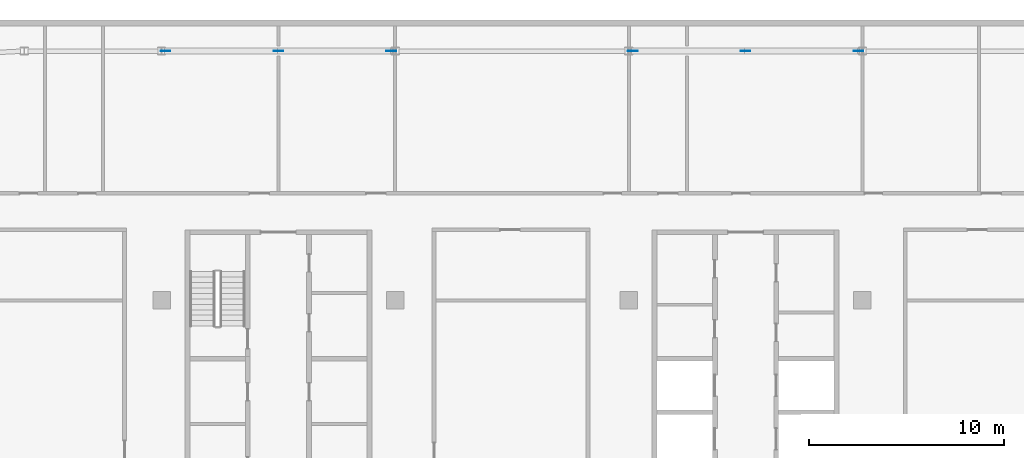
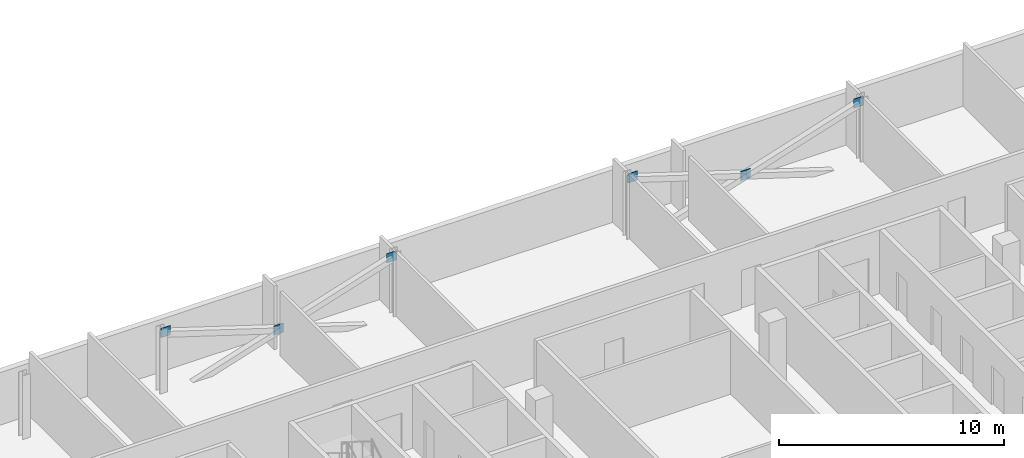
# One storey, part 22 of 28: 6 discrete accessories.
"""IFC4 building model written with IfcOpenShell, lengths in metres."""

from ifc_helpers import new_model, si_unit, direction, frame, origin, origin_2d, place, context, subcontext, project, spatial, rectangle, extrude, material, layer, layer_set, type_object, element, save


model = new_model("IFC4")

# Units and contexts
model_context = context("Model", 3, precision=1e-05, world=origin(), true_north=direction((0.0, 1.0)))
body_context = subcontext(model_context, "Body", "Model", "MODEL_VIEW")
ifc_project = project(units=[si_unit("LENGTHUNIT", "METRE"), si_unit("AREAUNIT", "SQUARE_METRE"), si_unit("VOLUMEUNIT", "CUBIC_METRE"), si_unit("PLANEANGLEUNIT", "RADIAN"), si_unit("MASSUNIT", "GRAM", prefix="KILO")], contexts=[model_context])

# Site, building, storey
site_placement = place(None, origin())
site = spatial("IfcSite", under=ifc_project, at=site_placement, CompositionType="ELEMENT")
building_placement = place(site_placement, origin())
building = spatial("IfcBuilding", under=site, at=building_placement, Name="Mahtab Terrace Research Tower", CompositionType="ELEMENT")
storey_placement = place(building_placement, frame((0.0, 0.0, 267.10009765625)))
storey = spatial("IfcBuildingStorey", under=building, at=storey_placement, Name="L65", CompositionType="ELEMENT", Elevation=267.10009765625)

# Discrete accessories
ifc_material = material(Name="Steel ASTM A992 Gr 50", Category="steel")
ifc_layer = layer(ifc_material, 0.030029296875)
ifc_layer_set = layer_set([ifc_layer], Name="Gusset plate 500x500x30")
discrete_accessory_type = type_object("IfcDiscreteAccessoryType", Name="Gusset plate 500x500x30", PredefinedType="USERDEFINED", material=ifc_layer_set)
for number, where, z_axis, x_axis, name in (
    (1, (-29.802978515625, 24.306884765625, 2.906494140625), (0.0, 0.0, 1.0), (1.0, 0.0, 0.0), "Gusset plate"),
    (2, (-24.0, 24.306884765625, 1.00634765625), (0.0, 0.0, 1.0), (1.0, 0.0, 0.0), "Gusset plate"),
    (3, (-18.197021484375, 24.306884765625, 2.906494140625), (0.0, 0.0, 1.0), (1.0, 0.0, 0.0), "Gusset plate"),
    (4, (-5.802978515625, 24.306884765625, 2.906494140625), (0.0, 0.0, 1.0), (1.0, 0.0, 0.0), "Gusset plate"),
    (5, (0.0, 24.306884765625, 1.00634765625), (0.0, 0.0, 1.0), (1.0, 0.0, 0.0), "Gusset plate"),
    (6, (5.802978515625, 24.306884765625, 2.906494140625), (0.0, 0.0, 1.0), (1.0, 0.0, 0.0), "Gusset plate"),
):
    element("IfcDiscreteAccessory", number, at=place(storey_placement, frame(where, z_axis=z_axis, x_axis=x_axis)), inside=storey, type_object=discrete_accessory_type, Name=name, ObjectType="GUSSET PLATE", PredefinedType="USERDEFINED", context=body_context, shape_type="SweptSolid", body=[
        extrude(rectangle(XDim=0.5, YDim=0.030029296875, at=origin_2d()), origin(), (0.0, 0.0, 1.0), 0.5),
    ])

save(model, "model.ifc")
